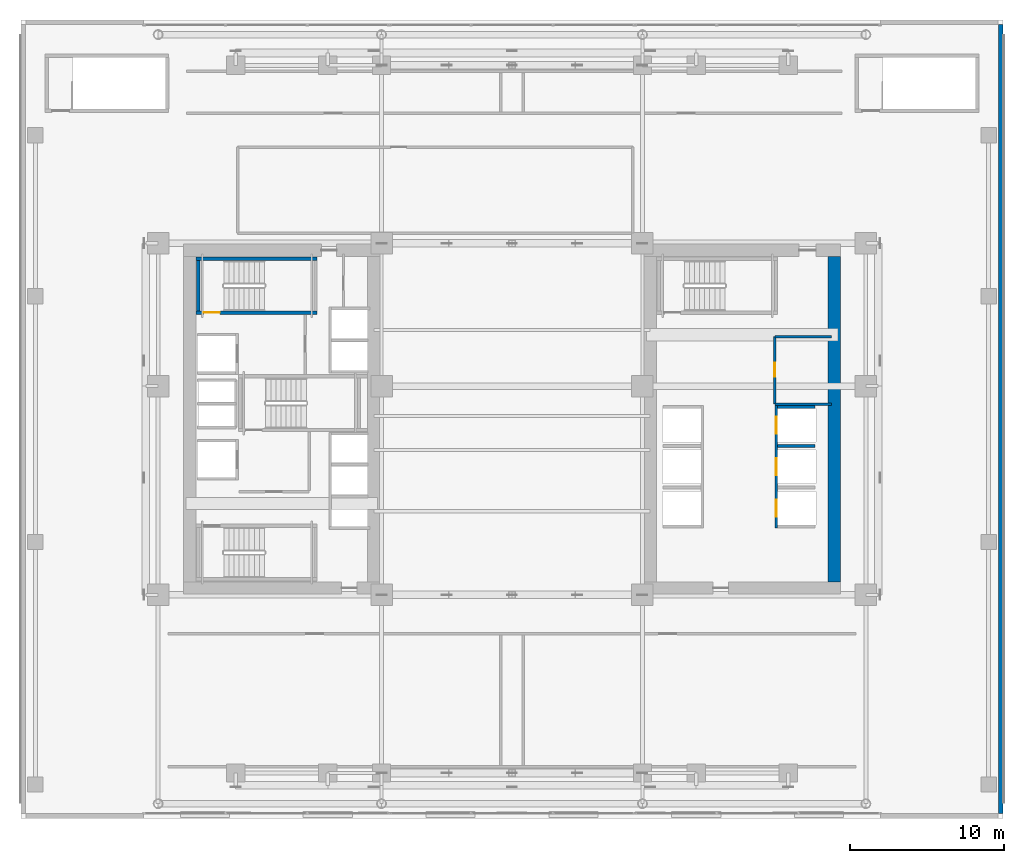
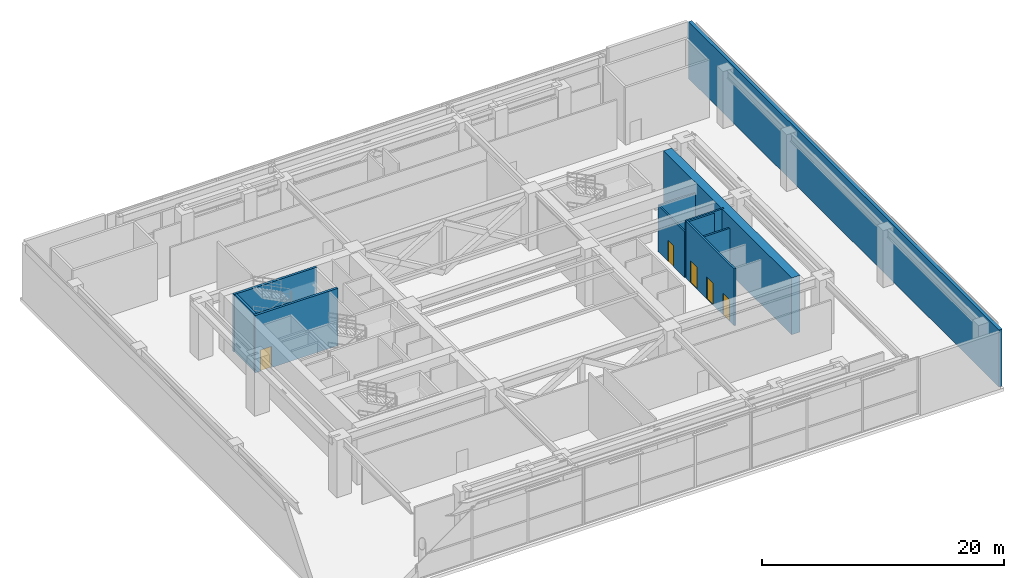
# One storey, part 22 of 29: 11 walls, 5 doors, 5 openings.
"""IFC4 building model written with IfcOpenShell, lengths in metres."""

from ifc_helpers import new_model, si_unit, direction, frame, frame_2d, origin, place, context, subcontext, project, spatial, rectangle, extrude, source, transform, mapped, material, layer, layer_set, type_object, element, fill, save


model = new_model("IFC4")

# Units and contexts
model_context = context("Model", 3, precision=1e-05, world=origin(), true_north=direction((0.0, 1.0)))
body_context = subcontext(model_context, "Body", "Model", "MODEL_VIEW")
ifc_project = project(units=[si_unit("LENGTHUNIT", "METRE"), si_unit("AREAUNIT", "SQUARE_METRE"), si_unit("VOLUMEUNIT", "CUBIC_METRE"), si_unit("PLANEANGLEUNIT", "RADIAN"), si_unit("MASSUNIT", "GRAM", prefix="KILO")], contexts=[model_context])

# Site, building, storey
site_placement = place(None, origin())
site = spatial("IfcSite", under=ifc_project, at=site_placement, CompositionType="ELEMENT")
building_placement = place(site_placement, origin())
building = spatial("IfcBuilding", under=site, at=building_placement, Name="Ocotamira Hotel", CompositionType="ELEMENT")
storey_placement = place(building_placement, frame((0.0, 0.0, 28.800048828125)))
storey = spatial("IfcBuildingStorey", under=building, at=storey_placement, Name="L06", CompositionType="ELEMENT", Elevation=28.800048828125)

# Walls
ifc_material_1 = material(Name="Concrete C60/75", Category="concrete")
ifc_layer_1 = layer(ifc_material_1, 0.800048828125)
ifc_layer_set_1 = layer_set([ifc_layer_1], Name="Concrete C60/75")
wall_type_1 = type_object("IfcWallType", Name="WL-CORE-800", PredefinedType="SHEAR", material=ifc_layer_set_1)
wall_1_placement = place(storey_placement, frame((53.0, 15.39990234375, 0.0), z_axis=(0.0, 0.0, 1.0), x_axis=(0.0, 1.0, 0.0)))
element("IfcWall", 1, at=wall_1_placement, inside=storey, type_object=wall_type_1, Name="L06 Shear Core Wall ECORE-E", PredefinedType="SHEAR", context=body_context, shape_type="SweptSolid", body=[
    extrude(rectangle(XDim=21.2001953125, YDim=0.800048828125, at=frame_2d((10.60009765625, 0.0))), origin(), (0.0, 0.0, 1.0), 5.75),
])
ifc_material_2 = material(Name="Travertine-clad precast concrete C45/55", Category="masonry")
ifc_layer_2 = layer(ifc_material_2, 0.300048828125)
ifc_layer_set_2 = layer_set([ifc_layer_2], Name="Travertine-clad precast concrete C45/55")
wall_type_2 = type_object("IfcWallType", Name="WL-EXT-POD-300", PredefinedType="SOLIDWALL", material=ifc_layer_set_2)
wall_2_placement = place(storey_placement, frame((63.85009765625, 51.699951171875, 0.0), z_axis=(0.0, 0.0, 1.0), x_axis=(0.0, -1.0, 0.0)))
element("IfcWall", 2, at=wall_2_placement, inside=storey, type_object=wall_type_2, Name="L06 East Podium Travertine Wall", PredefinedType="SOLIDWALL", context=body_context, shape_type="SweptSolid", body=[
    extrude(rectangle(XDim=51.39990234375, YDim=0.300048828125, at=frame_2d((25.699951171875, 0.0))), origin(), (0.0, 0.0, 1.0), 5.75),
])
ifc_material_3 = material(Name="Acoustic double-layer fire gypsum board partition", Category="gypsum")
ifc_layer_3 = layer(ifc_material_3, 0.159912109375)
ifc_layer_set_3 = layer_set([ifc_layer_3], Name="Acoustic double-layer fire gypsum board partition")
wall_type_3 = type_object("IfcWallType", Name="WL-FIRE-160", PredefinedType="PARTITIONING", material=ifc_layer_set_3)
wall_3_placement = place(storey_placement, frame((49.1201171875, 26.969970703125, 0.0), z_axis=(0.0, 0.0, 1.0), x_axis=(1.0, 0.0, 0.0)))
element("IfcWall", 3, at=wall_3_placement, inside=storey, type_object=wall_type_3, Name="L06 Interior Wall PW-L06-EC-NEL-S", PredefinedType="PARTITIONING", context=body_context, shape_type="SweptSolid", body=[
    extrude(rectangle(XDim=3.679931640625, YDim=0.159912109375, at=frame_2d((1.83984375, 0.0))), origin(), (0.0, 0.0, 1.0), 5.75),
])
wall_4_placement = place(storey_placement, frame((49.1201171875, 31.3798828125, 0.0), z_axis=(0.0, 0.0, 1.0), x_axis=(1.0, 0.0, 0.0)))
element("IfcWall", 4, at=wall_4_placement, inside=storey, type_object=wall_type_3, Name="L06 Interior Wall PW-L06-EC-NEL-N", PredefinedType="PARTITIONING", context=body_context, shape_type="SweptSolid", body=[
    extrude(rectangle(XDim=3.679931640625, YDim=0.159912109375, at=frame_2d((1.83984375, 0.0))), origin(), (0.0, 0.0, 1.0), 4.64990234375),
])

# Wall, opening, door
wall_5_placement = place(storey_placement, frame((49.1201171875, 26.969970703125, 0.0), z_axis=(0.0, 0.0, 1.0), x_axis=(0.0, 1.0, 0.0)))
wall_5 = element("IfcWall", 5, at=wall_5_placement, inside=storey, type_object=wall_type_3, Name="L06 Interior Wall PW-L06-EC-NEL-W", PredefinedType="PARTITIONING", context=body_context, shape_type="SweptSolid", body=[
    extrude(rectangle(XDim=4.409912109375, YDim=0.159912109375, at=frame_2d((2.205078125, 0.0))), origin(), (0.0, 0.0, 1.0), 4.64990234375),
])
opening_1_placement = place(wall_5_placement, frame((1.800048828125, 0.0, 0.0)))
opening_1 = element("IfcOpeningElement", 6, at=opening_1_placement, cuts=wall_5, Name="Opening D-IN3", PredefinedType="OPENING", context=body_context, shape_type="SweptSolid", body=[
    extrude(rectangle(XDim=0.89990234375, YDim=2.14990234375, at=frame_2d((0.449951171875, 1.074951171875))), frame((0.0, 0.08984375, 0.0), z_axis=(0.0, -1.0, 0.0), x_axis=(1.0, 0.0, 0.0)), (0.0, 0.0, 1.0), 0.179931640625),
])
ifc_material_4 = material(Name="Painted service room door", Category="steel")
door_type_1 = type_object("IfcDoorType", Name="DR-INT-900", OperationType="NOTDEFINED", PredefinedType="DOOR", material=ifc_material_4)
shared_shape_1 = source(origin(), body_context, "Body", "SweptSolid", [
    extrude(rectangle(XDim=0.89990234375, YDim=2.14990234375, at=frame_2d((0.449951171875, 1.074951171875))), frame((0.0, 0.02490234375, 0.0), z_axis=(0.0, -1.0, 0.0), x_axis=(1.0, 0.0, 0.0)), (0.0, 0.0, 1.0), 0.050048828125),
])
door_1_placement = place(opening_1_placement, origin())
door_1 = element("IfcDoor", 7, at=door_1_placement, inside=storey, type_object=door_type_1, Name="L06 Door ID-L06-EC-NEL-D [ID-L06-EC-NEL-D]", OperationType="SINGLE_SWING_RIGHT", OverallHeight=2.14990234375, OverallWidth=0.89990234375, PredefinedType="DOOR", context=body_context, shape_type="MappedRepresentation", body=[
    mapped(shared_shape_1, transform((0.0, 0.0, 0.0), scale=1.0)),
])
fill(opening_1, door_1)

# Wall, openings, doors
ifc_material_5 = material(Name="Fire-rated gypsum shaftliner board assembly", Category="gypsum")
ifc_layer_4 = layer(ifc_material_5, 0.179931640625)
ifc_layer_set_4 = layer_set([ifc_layer_4], Name="Fire-rated gypsum shaftliner board assembly")
wall_type_4 = type_object("IfcWallType", Name="WL-SHAFT-180", PredefinedType="SOLIDWALL", material=ifc_layer_set_4)
wall_6_placement = place(storey_placement, frame((49.2099609375, 18.919921875, 0.0), z_axis=(0.0, 0.0, 1.0), x_axis=(0.0, 1.0, 0.0)))
wall_6 = element("IfcWall", 8, at=wall_6_placement, inside=storey, type_object=wall_type_4, Name="L06 Interior Wall PW-L06-LFW-BANK-low-F", PredefinedType="SOLIDWALL", context=body_context, shape_type="SweptSolid", body=[
    extrude(rectangle(XDim=7.9599609375, YDim=0.179931640625, at=frame_2d((3.97998046875, 0.0))), origin(), (0.0, 0.0, 1.0), 5.75),
])
opening_2_placement = place(wall_6_placement, frame((0.72998046875, 0.0, 0.0)))
opening_2 = element("IfcOpeningElement", 9, at=opening_2_placement, cuts=wall_6, Name="Opening LD-LF-P1", PredefinedType="OPENING", context=body_context, shape_type="SweptSolid", body=[
    extrude(rectangle(XDim=1.10009765625, YDim=2.199951171875, at=frame_2d((0.550048828125, 1.10009765625))), frame((0.0, 0.10009765625, 0.0), z_axis=(0.0, -1.0, 0.0), x_axis=(1.0, 0.0, 0.0)), (0.0, 0.0, 1.0), 0.199951171875),
])
opening_3_placement = place(wall_6_placement, frame((3.429931640625, 0.0, 0.0)))
opening_3 = element("IfcOpeningElement", 10, at=opening_3_placement, cuts=wall_6, Name="Opening LD-LF-P2", PredefinedType="OPENING", context=body_context, shape_type="SweptSolid", body=[
    extrude(rectangle(XDim=1.10009765625, YDim=2.199951171875, at=frame_2d((0.550048828125, 1.10009765625))), frame((0.0, 0.10009765625, 0.0), z_axis=(0.0, -1.0, 0.0), x_axis=(1.0, 0.0, 0.0)), (0.0, 0.0, 1.0), 0.199951171875),
])
opening_4_placement = place(wall_6_placement, frame((6.1298828125, 0.0, 0.0)))
opening_4 = element("IfcOpeningElement", 11, at=opening_4_placement, cuts=wall_6, Name="Opening LD-LF-P3", PredefinedType="OPENING", context=body_context, shape_type="SweptSolid", body=[
    extrude(rectangle(XDim=1.10009765625, YDim=2.199951171875, at=frame_2d((0.550048828125, 1.10009765625))), frame((0.0, 0.10009765625, 0.0), z_axis=(0.0, -1.0, 0.0), x_axis=(1.0, 0.0, 0.0)), (0.0, 0.0, 1.0), 0.199951171875),
])
ifc_material_6 = material(Name="Brushed pale-metal stainless elevator landing door", Category="steel")
door_type_2 = type_object("IfcDoorType", Name="DR-LIFT-1100", OperationType="NOTDEFINED", PredefinedType="DOOR", material=ifc_material_6)
shared_shape_2 = source(origin(), body_context, "Body", "SweptSolid", [
    extrude(rectangle(XDim=1.10009765625, YDim=2.199951171875, at=frame_2d((0.550048828125, 1.10009765625))), frame((0.0, 0.02490234375, 0.0), z_axis=(0.0, -1.0, 0.0), x_axis=(1.0, 0.0, 0.0)), (0.0, 0.0, 1.0), 0.050048828125),
])
door_2_placement = place(opening_2_placement, origin())
door_2 = element("IfcDoor", 12, at=door_2_placement, inside=storey, type_object=door_type_2, Name="L06 Landing Door LD-LF-P1 [ID-L06-LD-LF-P1]", OperationType="DOUBLE_DOOR_SLIDING", OverallHeight=2.199951171875, OverallWidth=1.10009765625, PredefinedType="DOOR", context=body_context, shape_type="MappedRepresentation", body=[
    mapped(shared_shape_2, transform((0.0, 0.0, 0.0), scale=1.0)),
])
fill(opening_2, door_2)
door_3_placement = place(opening_3_placement, origin())
door_3 = element("IfcDoor", 13, at=door_3_placement, inside=storey, type_object=door_type_2, Name="L06 Landing Door LD-LF-P2 [ID-L06-LD-LF-P2]", OperationType="DOUBLE_DOOR_SLIDING", OverallHeight=2.199951171875, OverallWidth=1.10009765625, PredefinedType="DOOR", context=body_context, shape_type="MappedRepresentation", body=[
    mapped(shared_shape_2, transform((0.0, 0.0, 0.0), scale=1.0)),
])
fill(opening_3, door_3)
door_4_placement = place(opening_4_placement, origin())
door_4 = element("IfcDoor", 14, at=door_4_placement, inside=storey, type_object=door_type_2, Name="L06 Landing Door LD-LF-P3 [ID-L06-LD-LF-P3]", OperationType="DOUBLE_DOOR_SLIDING", OverallHeight=2.199951171875, OverallWidth=1.10009765625, PredefinedType="DOOR", context=body_context, shape_type="MappedRepresentation", body=[
    mapped(shared_shape_2, transform((0.0, 0.0, 0.0), scale=1.0)),
])
fill(opening_4, door_4)

# Walls
for number, where, z_axis, x_axis, name in (
    (15, (49.300048828125, 26.7900390625, 0.0), (0.0, 0.0, 1.0), (1.0, 0.0, 0.0), "L06 Interior Wall PW-L06-LFW-BANK-low-N"),
    (16, (49.300048828125, 24.25, 0.0), (0.0, 0.0, 1.0), (1.0, 0.0, 0.0), "L06 Interior Wall PW-L06-LFW-DIV-LF-P2"),
):
    element("IfcWall", number, at=place(storey_placement, frame(where, z_axis=z_axis, x_axis=x_axis)), inside=storey, type_object=wall_type_4, Name=name, PredefinedType="SOLIDWALL", context=body_context, shape_type="SweptSolid", body=[
        extrude(rectangle(XDim=2.449951171875, YDim=0.179931640625, at=frame_2d((1.22509765625, 0.0))), origin(), (0.0, 0.0, 1.0), 5.75),
    ])

# Wall, opening, door
ifc_material_7 = material(Name="Concrete C50/60", Category="concrete")
ifc_layer_5 = layer(ifc_material_7, 0.219970703125)
ifc_layer_set_5 = layer_set([ifc_layer_5], Name="Concrete C50/60")
wall_type_5 = type_object("IfcWallType", Name="WL-STAIR-220", PredefinedType="SHEAR", material=ifc_layer_set_5)
wall_7_placement = place(storey_placement, frame((11.39990234375, 32.93994140625, 0.0), z_axis=(0.0, 0.0, 1.0), x_axis=(1.0, 0.0, 0.0)))
wall_7 = element("IfcWall", 17, at=wall_7_placement, inside=storey, type_object=wall_type_5, Name="L06 Stair Shaft Structural Wall ST-2-S", PredefinedType="SHEAR", context=body_context, shape_type="SweptSolid", body=[
    extrude(rectangle(XDim=7.91015625, YDim=0.219970703125, at=frame_2d((3.955078125, 0.0))), origin(), (0.0, 0.0, 1.0), 5.800048828125),
])
opening_5_placement = place(wall_7_placement, frame((0.52001953125, 0.0, 0.0)))
opening_5 = element("IfcOpeningElement", 18, at=opening_5_placement, cuts=wall_7, Name="Opening D-ST2", PredefinedType="OPENING", context=body_context, shape_type="SweptSolid", body=[
    extrude(rectangle(XDim=1.050048828125, YDim=2.14990234375, at=frame_2d((0.52490234375, 1.074951171875))), frame((0.0, 0.1201171875, 0.0), z_axis=(0.0, -1.0, 0.0), x_axis=(1.0, 0.0, 0.0)), (0.0, 0.0, 1.0), 0.239990234375),
])
ifc_material_8 = material(Name="Insulated painted hollow-metal fire exit door", Category="steel")
door_type_3 = type_object("IfcDoorType", Name="DR-STAIR-1050", OperationType="NOTDEFINED", PredefinedType="DOOR", material=ifc_material_8)
shared_shape_3 = source(origin(), body_context, "Body", "SweptSolid", [
    extrude(rectangle(XDim=1.050048828125, YDim=2.14990234375, at=frame_2d((0.52490234375, 1.074951171875))), frame((0.0, 0.02490234375, 0.0), z_axis=(0.0, -1.0, 0.0), x_axis=(1.0, 0.0, 0.0)), (0.0, 0.0, 1.0), 0.050048828125),
])
door_5_placement = place(opening_5_placement, origin())
door_5 = element("IfcDoor", 19, at=door_5_placement, inside=storey, type_object=door_type_3, Name="L06 Door ID-L06-STD-ST-2 [ID-L06-STD-ST-2]", OperationType="SINGLE_SWING_RIGHT", OverallHeight=2.14990234375, OverallWidth=1.050048828125, PredefinedType="DOOR", context=body_context, shape_type="MappedRepresentation", body=[
    mapped(shared_shape_3, transform((0.0, 0.0, 0.0), scale=1.0)),
])
fill(opening_5, door_5)

# Walls
wall_8_placement = place(storey_placement, frame((11.39990234375, 36.43994140625, 0.0), z_axis=(0.0, 0.0, 1.0), x_axis=(1.0, 0.0, 0.0)))
element("IfcWall", 20, at=wall_8_placement, inside=storey, type_object=wall_type_5, Name="L06 Stair Shaft Structural Wall ST-2-N", PredefinedType="SHEAR", context=body_context, shape_type="SweptSolid", body=[
    extrude(rectangle(XDim=7.91015625, YDim=0.219970703125, at=frame_2d((3.955078125, 0.0))), origin(), (0.0, 0.0, 1.0), 5.800048828125),
])
wall_9_placement = place(storey_placement, frame((11.56005859375, 33.050048828125, 0.0), z_axis=(0.0, 0.0, 1.0), x_axis=(0.0, 1.0, 0.0)))
element("IfcWall", 21, at=wall_9_placement, inside=storey, type_object=wall_type_5, Name="L06 Stair Shaft Structural Wall ST-2-W", PredefinedType="SHEAR", context=body_context, shape_type="SweptSolid", body=[
    extrude(rectangle(XDim=3.280029296875, YDim=0.219970703125, at=frame_2d((1.64013671875, 0.0))), origin(), (0.0, 0.0, 1.0), 5.800048828125),
])

save(model, "model.ifc")
